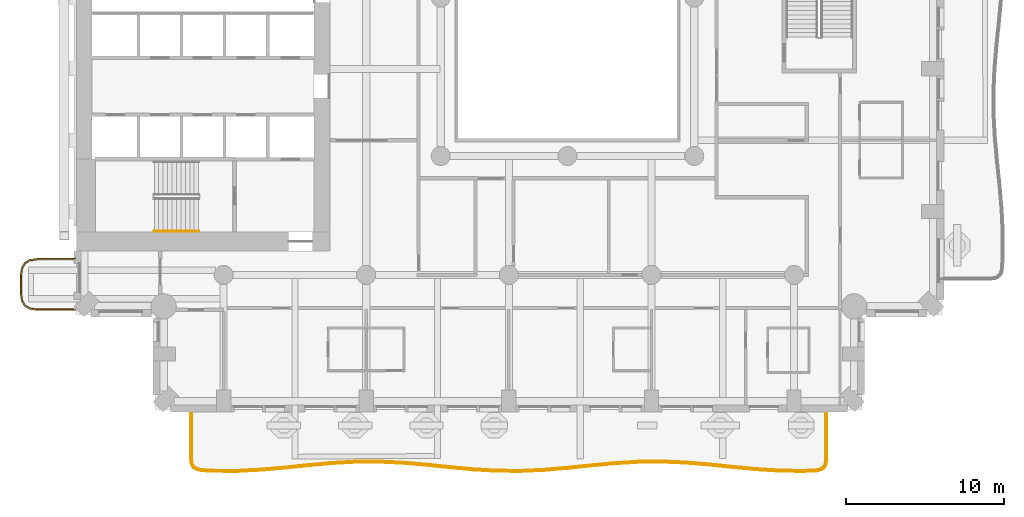
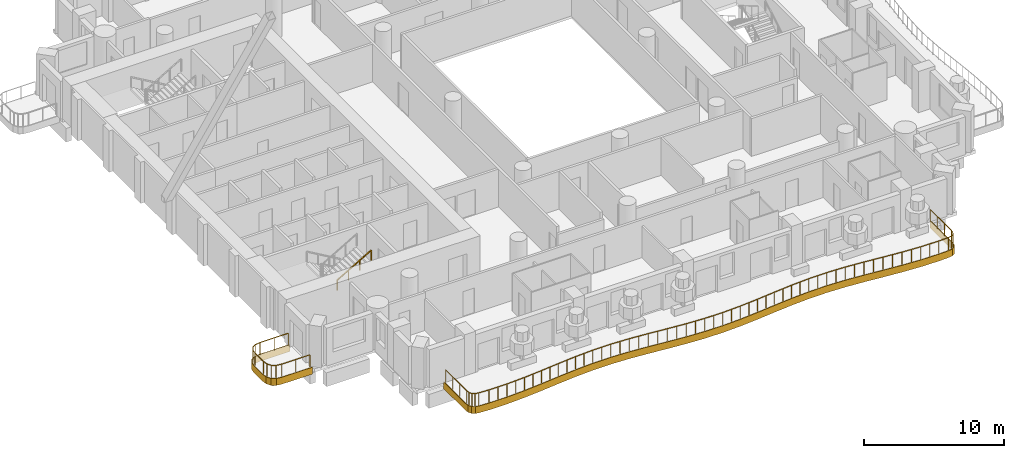
# One storey, part 13 of 20: 3 railings, 2 coverings.
"""IFC4 building model written with IfcOpenShell, lengths in metres."""

from ifc_helpers import new_model, si_unit, direction, frame, origin, origin_2d, place, context, subcontext, project, spatial, polyline, rectangle, outline, extrude, material, layer, layer_set, type_object, element, save


model = new_model("IFC4")

# Units and contexts
model_context = context("Model", 3, precision=1e-05, world=origin(), true_north=direction((0.0, 1.0)))
body_context = subcontext(model_context, "Body", "Model", "MODEL_VIEW")
ifc_project = project(units=[si_unit("LENGTHUNIT", "METRE"), si_unit("AREAUNIT", "SQUARE_METRE"), si_unit("VOLUMEUNIT", "CUBIC_METRE"), si_unit("PLANEANGLEUNIT", "RADIAN"), si_unit("MASSUNIT", "GRAM", prefix="KILO")], contexts=[model_context])

# Site, building, storey
site_placement = place(None, origin())
site = spatial("IfcSite", under=ifc_project, at=site_placement, CompositionType="ELEMENT")
building_placement = place(site_placement, origin())
building = spatial("IfcBuilding", under=site, at=building_placement, Name="Cypress Arch Tower", CompositionType="ELEMENT")
storey_placement = place(building_placement, frame((0.0, 0.0, 73.5)))
storey = spatial("IfcBuildingStorey", under=building, at=storey_placement, Name="L12", CompositionType="ELEMENT", Elevation=73.5)

# Coverings
ifc_material_1 = material(Name="White powder-coated aluminium fascia", Category="aluminium")
ifc_layer = layer(ifc_material_1, 0.050048828125)
ifc_layer_set = layer_set([ifc_layer], Name="Balcony fascia BF50")
covering_type = type_object("IfcCoveringType", Name="Balcony fascia BF50", PredefinedType="CLADDING", material=ifc_layer_set)
covering_1_placement = place(storey_placement, frame((0.0, 0.0, -0.60009765625)))
element("IfcCovering", 1, at=covering_1_placement, inside=storey, type_object=covering_type, Name="Balcony fascia L12-A00W1", PredefinedType="CLADDING", context=body_context, shape_type="SweptSolid", body=[
    extrude(outline(polyline([(-32.503662109375, -19.75), (-32.95458984375, -19.685546875), (-33.286376953125, -19.486328125), (-33.485595703125, -19.154541015625), (-33.550048828125, -18.70361328125), (-33.550048828125, -17.496337890625), (-33.485595703125, -17.04541015625), (-33.286376953125, -16.713623046875), (-32.95458984375, -16.514404296875), (-32.503662109375, -16.449951171875), (-30.0009765625, -16.449951171875), (-30.0009765625, -16.5), (-32.5, -16.5), (-32.9375, -16.5625), (-33.25, -16.75), (-33.4375, -17.0625), (-33.5, -17.5), (-33.5, -18.699951171875), (-33.4375, -19.137451171875), (-33.25, -19.449951171875), (-32.9375, -19.637451171875), (-32.5, -19.699951171875), (-30.0009765625, -19.699951171875), (-30.0009765625, -19.75), (-32.503662109375, -19.75)])), origin(), (0.0, 0.0, 1.0), 0.60009765625),
])
covering_2_placement = place(storey_placement, frame((0.0, 0.0, -0.60009765625)))
element("IfcCovering", 2, at=covering_2_placement, inside=storey, type_object=covering_type, Name="Balcony fascia L12-A03", PredefinedType="CLADDING", context=body_context, shape_type="SweptSolid", body=[
    extrude(outline(polyline([(17.39990234375, -29.17431640625), (17.3564453125, -29.481689453125), (17.219970703125, -29.714599609375), (16.99267578125, -29.85986328125), (16.687255859375, -29.91552734375), (15.865478515625, -29.947509765625), (14.377685546875, -29.92724609375), (12.890625, -29.833984375), (11.404296875, -29.6923828125), (9.91943359375, -29.539794921875), (8.435791015625, -29.416015625), (6.952880859375, -29.353759765625), (5.47021484375, -29.369140625), (3.987060546875, -29.458251953125), (2.503173828125, -29.597900390625), (1.017578125, -29.751220703125), (-0.468994140625, -29.8779296875), (-1.95654296875, -29.944580078125), (-3.444091796875, -29.933837890625), (-4.931396484375, -29.848388671875), (-6.417724609375, -29.710693359375), (-7.90283203125, -29.557373046875), (-9.38671875, -29.42822265625), (-10.86962890625, -29.357177734375), (-12.352294921875, -29.36328125), (-13.835205078125, -29.4443359375), (-15.3193359375, -29.57958984375), (-16.804443359375, -29.7333984375), (-18.291015625, -29.865234375), (-19.7783203125, -29.940673828125), (-21.26611328125, -29.939453125), (-22.087890625, -29.896728515625), (-22.393310546875, -29.837158203125), (-22.6201171875, -29.68896484375), (-22.75634765625, -29.45458984375), (-22.800048828125, -29.146484375), (-22.800048828125, -26.0009765625), (-22.75, -26.0009765625), (-22.75, -29.142822265625), (-22.708251953125, -29.437744140625), (-22.5830078125, -29.653564453125), (-22.3740234375, -29.789794921875), (-22.081787109375, -29.846923828125), (-21.264892578125, -29.889404296875), (-19.779541015625, -29.890625), (-18.29443359375, -29.8154296875), (-16.809326171875, -29.68359375), (-15.323974609375, -29.52978515625), (-13.8388671875, -29.39453125), (-12.353759765625, -29.313232421875), (-10.868408203125, -29.307373046875), (-9.38330078125, -29.378173828125), (-7.898193359375, -29.507568359375), (-6.412841796875, -29.6611328125), (-4.927734375, -29.798583984375), (-3.442626953125, -29.8837890625), (-1.95751953125, -29.89453125), (-0.47216796875, -29.827880859375), (1.012939453125, -29.701416015625), (2.498046875, -29.548095703125), (3.9833984375, -29.408447265625), (5.468505859375, -29.3193359375), (6.95361328125, -29.3037109375), (8.43896484375, -29.3662109375), (9.924072265625, -29.489990234375), (11.4091796875, -29.642822265625), (12.89453125, -29.7841796875), (14.379638671875, -29.87744140625), (15.86474609375, -29.8974609375), (16.681640625, -29.86572265625), (16.97412109375, -29.8125), (17.182861328125, -29.678955078125), (17.308349609375, -29.465087890625), (17.35009765625, -29.170654296875), (17.35009765625, -26.0009765625), (17.39990234375, -26.0009765625), (17.39990234375, -29.17431640625)])), origin(), (0.0, 0.0, 1.0), 0.60009765625),
])

# Railings
ifc_material_2 = material(Name="Powder-coated steel posts and rods, 100 mm clear between rods", Category="steel")
railing_type_1 = type_object("IfcRailingType", Name="Balcony guard GR1100", PredefinedType="GUARDRAIL", material=ifc_material_2)
railing_1_placement = place(storey_placement, frame((-30.14990234375, -19.64990234375, 0.0)))
element("IfcRailing", 3, at=railing_1_placement, inside=storey, type_object=railing_type_1, Name="Balcony guard L12-A00W1", PredefinedType="GUARDRAIL", context=body_context, shape_type="SweptSolid", body=[
    extrude(rectangle(XDim=0.050048828125, YDim=0.050048828125, at=origin_2d()), frame((0.0, 0.0, 1.0751953125), z_axis=(-1.0, 0.0, 0.0), x_axis=(0.0, -1.0, 0.0)), (0.0, 0.0, 1.0), 2.346435546875),
    extrude(rectangle(XDim=0.050048828125, YDim=0.050048828125, at=origin_2d()), frame((-2.346435546875, 0.0, 1.0751953125), z_axis=(-0.989960888959, 0.141341566184, 0.0), x_axis=(-0.141341566184, -0.989960888959, 0.0)), (0.0, 0.0, 1.0), 0.428466796875),
    extrude(rectangle(XDim=0.050048828125, YDim=0.050048828125, at=origin_2d()), frame((-2.7705078125, 0.060546875, 1.0751953125), z_axis=(-0.857681904839, 0.514180659021, 0.0), x_axis=(-0.514180659021, -0.857681904839, 0.0)), (0.0, 0.0, 1.0), 0.341796875),
    extrude(rectangle(XDim=0.050048828125, YDim=0.050048828125, at=origin_2d()), frame((-3.063720703125, 0.236328125, 1.0751953125), z_axis=(-0.514180659021, 0.857681904839, 0.0), x_axis=(-0.857681904839, -0.514180659021, 0.0)), (0.0, 0.0, 1.0), 0.341796875),
    extrude(rectangle(XDim=0.050048828125, YDim=0.050048828125, at=origin_2d()), frame((-3.239501953125, 0.529541015625, 1.0751953125), z_axis=(-0.141421356237, 0.989949493661, 0.0), x_axis=(-0.989949493661, -0.141421356237, 0.0)), (0.0, 0.0, 1.0), 0.42822265625),
    extrude(rectangle(XDim=0.050048828125, YDim=0.050048828125, at=origin_2d()), frame((-3.300048828125, 0.953369140625, 1.0751953125), z_axis=(0.0, 1.0, 0.0), x_axis=(-1.0, 0.0, 0.0)), (0.0, 0.0, 1.0), 1.19287109375),
    extrude(rectangle(XDim=0.050048828125, YDim=0.050048828125, at=origin_2d()), frame((-3.300048828125, 2.146240234375, 1.0751953125), z_axis=(0.141341566184, 0.989960888959, 0.0), x_axis=(-0.989960888959, 0.141341566184, 0.0)), (0.0, 0.0, 1.0), 0.428466796875),
    extrude(rectangle(XDim=0.050048828125, YDim=0.050048828125, at=origin_2d()), frame((-3.239501953125, 2.5703125, 1.0751953125), z_axis=(0.514180659021, 0.857681904839, 0.0), x_axis=(-0.857681904839, 0.514180659021, 0.0)), (0.0, 0.0, 1.0), 0.341796875),
    extrude(rectangle(XDim=0.050048828125, YDim=0.050048828125, at=origin_2d()), frame((-3.063720703125, 2.863525390625, 1.0751953125), z_axis=(0.857681904839, 0.514180659021, 0.0), x_axis=(-0.514180659021, 0.857681904839, 0.0)), (0.0, 0.0, 1.0), 0.341796875),
    extrude(rectangle(XDim=0.050048828125, YDim=0.050048828125, at=origin_2d()), frame((-2.7705078125, 3.039306640625, 1.0751953125), z_axis=(0.989960888959, 0.141341566184, 0.0), x_axis=(-0.141341566184, 0.989960888959, 0.0)), (0.0, 0.0, 1.0), 0.428466796875),
    extrude(rectangle(XDim=0.050048828125, YDim=0.050048828125, at=origin_2d()), frame((-2.346435546875, 3.099853515625, 1.0751953125), z_axis=(1.0, 0.0, 0.0), x_axis=(0.0, 1.0, 0.0)), (0.0, 0.0, 1.0), 2.346435546875),
    extrude(rectangle(XDim=0.0400390625, YDim=0.0400390625, at=origin_2d()), origin(), (0.0, 0.0, 1.0), 1.050048828125),
    extrude(rectangle(XDim=0.0400390625, YDim=0.0400390625, at=origin_2d()), frame((-1.17333984375, 0.0, 0.0)), (0.0, 0.0, 1.0), 1.050048828125),
    extrude(rectangle(XDim=0.0400390625, YDim=0.0400390625, at=origin_2d()), frame((-2.346435546875, 0.0, 0.0)), (0.0, 0.0, 1.0), 1.050048828125),
    extrude(rectangle(XDim=0.0400390625, YDim=0.0400390625, at=origin_2d()), frame((-2.7705078125, 0.060546875, 0.0)), (0.0, 0.0, 1.0), 1.050048828125),
    extrude(rectangle(XDim=0.0400390625, YDim=0.0400390625, at=origin_2d()), frame((-3.063720703125, 0.236328125, 0.0)), (0.0, 0.0, 1.0), 1.050048828125),
    extrude(rectangle(XDim=0.0400390625, YDim=0.0400390625, at=origin_2d()), frame((-3.239501953125, 0.529541015625, 0.0)), (0.0, 0.0, 1.0), 1.050048828125),
    extrude(rectangle(XDim=0.0400390625, YDim=0.0400390625, at=origin_2d()), frame((-3.300048828125, 0.953369140625, 0.0)), (0.0, 0.0, 1.0), 1.050048828125),
    extrude(rectangle(XDim=0.0400390625, YDim=0.0400390625, at=origin_2d()), frame((-3.300048828125, 2.146240234375, 0.0)), (0.0, 0.0, 1.0), 1.050048828125),
    extrude(rectangle(XDim=0.0400390625, YDim=0.0400390625, at=origin_2d()), frame((-3.239501953125, 2.5703125, 0.0)), (0.0, 0.0, 1.0), 1.050048828125),
    extrude(rectangle(XDim=0.0400390625, YDim=0.0400390625, at=origin_2d()), frame((-3.063720703125, 2.863525390625, 0.0)), (0.0, 0.0, 1.0), 1.050048828125),
    extrude(rectangle(XDim=0.0400390625, YDim=0.0400390625, at=origin_2d()), frame((-2.7705078125, 3.039306640625, 0.0)), (0.0, 0.0, 1.0), 1.050048828125),
    extrude(rectangle(XDim=0.0400390625, YDim=0.0400390625, at=origin_2d()), frame((-2.346435546875, 3.099853515625, 0.0)), (0.0, 0.0, 1.0), 1.050048828125),
    extrude(rectangle(XDim=0.0400390625, YDim=0.0400390625, at=origin_2d()), frame((-1.17333984375, 3.099853515625, 0.0)), (0.0, 0.0, 1.0), 1.050048828125),
    extrude(rectangle(XDim=0.0400390625, YDim=0.0400390625, at=origin_2d()), frame((0.0, 3.099853515625, 0.0)), (0.0, 0.0, 1.0), 1.050048828125),
])
railing_2_placement = place(storey_placement, frame((17.300048828125, -26.14990234375, 0.0)))
element("IfcRailing", 4, at=railing_2_placement, inside=storey, type_object=railing_type_1, Name="Balcony guard L12-A03", PredefinedType="GUARDRAIL", context=body_context, shape_type="SweptSolid", body=[
    extrude(rectangle(XDim=0.050048828125, YDim=0.050048828125, at=origin_2d()), frame((0.0, 0.0, 1.0751953125), z_axis=(0.0, -1.0, 0.0), x_axis=(1.0, 0.0, 0.0)), (0.0, 0.0, 1.0), 3.017333984375),
    extrude(rectangle(XDim=0.050048828125, YDim=0.050048828125, at=origin_2d()), frame((0.0, -3.017333984375, 1.0751953125), z_axis=(-0.141060095357, -0.990001035099, 0.0), x_axis=(0.990001035099, -0.141060095357, 0.0)), (0.0, 0.0, 1.0), 0.283935546875),
    extrude(rectangle(XDim=0.050048828125, YDim=0.050048828125, at=origin_2d()), frame((-0.0400390625, -3.29833984375, 1.0751953125), z_axis=(-0.505414598501, -0.86287663291, 0.0), x_axis=(0.86287663291, -0.505414598501, 0.0)), (0.0, 0.0, 1.0), 0.22607421875),
    extrude(rectangle(XDim=0.050048828125, YDim=0.050048828125, at=origin_2d()), frame((-0.154296875, -3.493408203125, 1.0751953125), z_axis=(-0.842369453542, -0.538900458099, 0.0), x_axis=(0.538900458099, -0.842369453542, 0.0)), (0.0, 0.0, 1.0), 0.22607421875),
    extrude(rectangle(XDim=0.050048828125, YDim=0.050048828125, at=origin_2d()), frame((-0.3447265625, -3.615234375, 1.0751953125), z_axis=(-0.983842354294, -0.179036928865, 0.0), x_axis=(0.179036928865, -0.983842354294, 0.0)), (0.0, 0.0, 1.0), 0.28369140625),
    extrude(rectangle(XDim=0.050048828125, YDim=0.050048828125, at=origin_2d()), frame((-0.623779296875, -3.666015625, 1.0751953125), z_axis=(-0.999237016829, -0.039056167224, 0.0), x_axis=(0.039056167224, -0.999237016829, 0.0)), (0.0, 0.0, 1.0), 0.812744140625),
    extrude(rectangle(XDim=0.050048828125, YDim=0.050048828125, at=origin_2d()), frame((-1.435791015625, -3.69775390625, 1.0751953125), z_axis=(-0.999906618942, 0.013665774637, 0.0), x_axis=(-0.013665774637, -0.999906618942, 0.0)), (0.0, 0.0, 1.0), 1.48291015625),
    extrude(rectangle(XDim=0.050048828125, YDim=0.050048828125, at=origin_2d()), frame((-2.91845703125, -3.677490234375, 1.0751953125), z_axis=(-0.998039131201, 0.062593071438, 0.0), x_axis=(-0.062593071438, -0.998039131201, 0.0)), (0.0, 0.0, 1.0), 1.486083984375),
    extrude(rectangle(XDim=0.050048828125, YDim=0.050048828125, at=origin_2d()), frame((-4.401611328125, -3.58447265625, 1.0751953125), z_axis=(-0.995494736566, 0.094816820607, 0.0), x_axis=(-0.094816820607, -0.995494736566, 0.0)), (0.0, 0.0, 1.0), 1.490966796875),
    extrude(rectangle(XDim=0.050048828125, YDim=0.050048828125, at=origin_2d()), frame((-5.8857421875, -3.443115234375, 1.0751953125), z_axis=(-0.994749908611, 0.102335816399, 0.0), x_axis=(-0.102335816399, -0.994749908611, 0.0)), (0.0, 0.0, 1.0), 1.493408203125),
    extrude(rectangle(XDim=0.050048828125, YDim=0.050048828125, at=origin_2d()), frame((-7.371337890625, -3.290283203125, 1.0751953125), z_axis=(-0.996537852811, 0.083140290561, 0.0), x_axis=(-0.083140290561, -0.996537852811, 0.0)), (0.0, 0.0, 1.0), 1.49169921875),
    extrude(rectangle(XDim=0.050048828125, YDim=0.050048828125, at=origin_2d()), frame((-8.85791015625, -3.166259765625, 1.0751953125), z_axis=(-0.999118518809, 0.041978391731, 0.0), x_axis=(-0.041978391731, -0.999118518809, 0.0)), (0.0, 0.0, 1.0), 1.48876953125),
    extrude(rectangle(XDim=0.050048828125, YDim=0.050048828125, at=origin_2d()), frame((-10.345458984375, -3.103759765625, 1.0751953125), z_axis=(-0.99994485716, -0.010501554128, 0.0), x_axis=(0.010501554128, -0.99994485716, 0.0)), (0.0, 0.0, 1.0), 1.48779296875),
    extrude(rectangle(XDim=0.050048828125, YDim=0.050048828125, at=origin_2d()), frame((-11.833251953125, -3.119384765625, 1.0751953125), z_axis=(-0.998200140314, -0.059970658463, 0.0), x_axis=(0.059970658463, -0.998200140314, 0.0)), (0.0, 0.0, 1.0), 1.489990234375),
    extrude(rectangle(XDim=0.050048828125, YDim=0.050048828125, at=origin_2d()), frame((-13.320556640625, -3.208740234375, 1.0751953125), z_axis=(-0.995615207879, -0.093543347389, 0.0), x_axis=(0.093543347389, -0.995615207879, 0.0)), (0.0, 0.0, 1.0), 1.492919921875),
    extrude(rectangle(XDim=0.050048828125, YDim=0.050048828125, at=origin_2d()), frame((-14.806884765625, -3.348388671875, 1.0751953125), z_axis=(-0.99471140174, -0.102709431156, 0.0), x_axis=(0.102709431156, -0.99471140174, 0.0)), (0.0, 0.0, 1.0), 1.49267578125),
    extrude(rectangle(XDim=0.050048828125, YDim=0.050048828125, at=origin_2d()), frame((-16.291748046875, -3.501708984375, 1.0751953125), z_axis=(-0.996387980043, -0.084917567236, 0.0), x_axis=(0.084917567236, -0.996387980043, 0.0)), (0.0, 0.0, 1.0), 1.4892578125),
    extrude(rectangle(XDim=0.050048828125, YDim=0.050048828125, at=origin_2d()), frame((-17.775634765625, -3.628173828125, 1.0751953125), z_axis=(-0.998991139461, -0.04490771959, 0.0), x_axis=(0.04490771959, -0.998991139461, 0.0)), (0.0, 0.0, 1.0), 1.484130859375),
    extrude(rectangle(XDim=0.050048828125, YDim=0.050048828125, at=origin_2d()), frame((-19.25830078125, -3.69482421875, 1.0751953125), z_axis=(-0.999973754691, 0.007244993447, 0.0), x_axis=(-0.007244993447, -0.999973754691, 0.0)), (0.0, 0.0, 1.0), 1.482666015625),
    extrude(rectangle(XDim=0.050048828125, YDim=0.050048828125, at=origin_2d()), frame((-20.740966796875, -3.68408203125, 1.0751953125), z_axis=(-0.998353904879, 0.057353993877, 0.0), x_axis=(-0.057353993877, -0.998353904879, 0.0)), (0.0, 0.0, 1.0), 1.485595703125),
    extrude(rectangle(XDim=0.050048828125, YDim=0.050048828125, at=origin_2d()), frame((-22.22412109375, -3.598876953125, 1.0751953125), z_axis=(-0.995738724499, 0.092219263348, 0.0), x_axis=(-0.092219263348, -0.995738724499, 0.0)), (0.0, 0.0, 1.0), 1.490478515625),
    extrude(rectangle(XDim=0.050048828125, YDim=0.050048828125, at=origin_2d()), frame((-23.708251953125, -3.46142578125, 1.0751953125), z_axis=(-0.99469640988, 0.10285451945, 0.0), x_axis=(-0.10285451945, -0.99469640988, 0.0)), (0.0, 0.0, 1.0), 1.492919921875),
    extrude(rectangle(XDim=0.050048828125, YDim=0.050048828125, at=origin_2d()), frame((-25.193359375, -3.307861328125, 1.0751953125), z_axis=(-0.996233217451, 0.086714338192, 0.0), x_axis=(-0.086714338192, -0.996233217451, 0.0)), (0.0, 0.0, 1.0), 1.4921875),
    extrude(rectangle(XDim=0.050048828125, YDim=0.050048828125, at=origin_2d()), frame((-26.679931640625, -3.178466796875, 1.0751953125), z_axis=(-0.998861451763, 0.047705347524, 0.0), x_axis=(-0.047705347524, -0.998861451763, 0.0)), (0.0, 0.0, 1.0), 1.4892578125),
    extrude(rectangle(XDim=0.050048828125, YDim=0.050048828125, at=origin_2d()), frame((-28.16748046875, -3.107421875, 1.0751953125), z_axis=(-0.999992244987, -0.003938269426, 0.0), x_axis=(0.003938269426, -0.999992244987, 0.0)), (0.0, 0.0, 1.0), 1.48779296875),
    extrude(rectangle(XDim=0.050048828125, YDim=0.050048828125, at=origin_2d()), frame((-29.6552734375, -3.11328125, 1.0751953125), z_axis=(-0.998500434591, -0.054743786138, 0.0), x_axis=(0.054743786138, -0.998500434591, 0.0)), (0.0, 0.0, 1.0), 1.489501953125),
    extrude(rectangle(XDim=0.050048828125, YDim=0.050048828125, at=origin_2d()), frame((-31.142578125, -3.19482421875, 1.0751953125), z_axis=(-0.995870381077, -0.090786475279, 0.0), x_axis=(0.090786475279, -0.995870381077, 0.0)), (0.0, 0.0, 1.0), 1.492431640625),
    extrude(rectangle(XDim=0.050048828125, YDim=0.050048828125, at=origin_2d()), frame((-32.62890625, -3.330322265625, 1.0751953125), z_axis=(-0.99469640988, -0.10285451945, 0.0), x_axis=(0.10285451945, -0.99469640988, 0.0)), (0.0, 0.0, 1.0), 1.492919921875),
    extrude(rectangle(XDim=0.050048828125, YDim=0.050048828125, at=origin_2d()), frame((-34.114013671875, -3.48388671875, 1.0751953125), z_axis=(-0.996076493913, -0.088496430851, 0.0), x_axis=(0.088496430851, -0.996076493913, 0.0)), (0.0, 0.0, 1.0), 1.48974609375),
    extrude(rectangle(XDim=0.050048828125, YDim=0.050048828125, at=origin_2d()), frame((-35.597900390625, -3.61572265625, 1.0751953125), z_axis=(-0.99872512954, -0.050478863149, 0.0), x_axis=(0.050478863149, -0.99872512954, 0.0)), (0.0, 0.0, 1.0), 1.48486328125),
    extrude(rectangle(XDim=0.050048828125, YDim=0.050048828125, at=origin_2d()), frame((-37.080810546875, -3.690673828125, 1.0751953125), z_axis=(-0.999999661075, 0.000823316039, 0.0), x_axis=(-0.000823316039, -0.999999661075, 0.0)), (0.0, 0.0, 1.0), 1.482666015625),
    extrude(rectangle(XDim=0.050048828125, YDim=0.050048828125, at=origin_2d()), frame((-38.5634765625, -3.689453125, 1.0751953125), z_axis=(-0.998649988172, 0.051944211652, 0.0), x_axis=(-0.051944211652, -0.998649988172, 0.0)), (0.0, 0.0, 1.0), 0.81298828125),
    extrude(rectangle(XDim=0.050048828125, YDim=0.050048828125, at=origin_2d()), frame((-39.37548828125, -3.647216796875, 1.0751953125), z_axis=(-0.981557344174, 0.1911679369, 0.0), x_axis=(-0.1911679369, -0.981557344174, 0.0)), (0.0, 0.0, 1.0), 0.284912109375),
    extrude(rectangle(XDim=0.050048828125, YDim=0.050048828125, at=origin_2d()), frame((-39.655029296875, -3.5927734375, 1.0751953125), z_axis=(-0.837290536934, 0.546758225142, 0.0), x_axis=(-0.546758225142, -0.837290536934, 0.0)), (0.0, 0.0, 1.0), 0.227783203125),
    extrude(rectangle(XDim=0.050048828125, YDim=0.050048828125, at=origin_2d()), frame((-39.845703125, -3.46826171875, 1.0751953125), z_axis=(-0.502471480426, 0.864593784016, 0.0), x_axis=(-0.864593784016, -0.502471480426, 0.0)), (0.0, 0.0, 1.0), 0.227783203125),
    extrude(rectangle(XDim=0.050048828125, YDim=0.050048828125, at=origin_2d()), frame((-39.960205078125, -3.271240234375, 1.0751953125), z_axis=(-0.139859558217, 0.990171350815, 0.0), x_axis=(-0.990171350815, -0.139859558217, 0.0)), (0.0, 0.0, 1.0), 0.284423828125),
    extrude(rectangle(XDim=0.050048828125, YDim=0.050048828125, at=origin_2d()), frame((-40.0, -2.989501953125, 1.0751953125), z_axis=(0.0, 1.0, 0.0), x_axis=(-1.0, 0.0, 0.0)), (0.0, 0.0, 1.0), 2.989501953125),
    extrude(rectangle(XDim=0.0400390625, YDim=0.0400390625, at=origin_2d()), origin(), (0.0, 0.0, 1.0), 1.050048828125),
    extrude(rectangle(XDim=0.0400390625, YDim=0.0400390625, at=origin_2d()), frame((0.0, -1.005859375, 0.0)), (0.0, 0.0, 1.0), 1.050048828125),
    extrude(rectangle(XDim=0.0400390625, YDim=0.0400390625, at=origin_2d()), frame((0.0, -2.011474609375, 0.0)), (0.0, 0.0, 1.0), 1.050048828125),
    extrude(rectangle(XDim=0.0400390625, YDim=0.0400390625, at=origin_2d()), frame((0.0, -3.017333984375, 0.0)), (0.0, 0.0, 1.0), 1.050048828125),
    extrude(rectangle(XDim=0.0400390625, YDim=0.0400390625, at=origin_2d()), frame((-0.0400390625, -3.29833984375, 0.0)), (0.0, 0.0, 1.0), 1.050048828125),
    extrude(rectangle(XDim=0.0400390625, YDim=0.0400390625, at=origin_2d()), frame((-0.154296875, -3.493408203125, 0.0)), (0.0, 0.0, 1.0), 1.050048828125),
    extrude(rectangle(XDim=0.0400390625, YDim=0.0400390625, at=origin_2d()), frame((-0.3447265625, -3.615234375, 0.0)), (0.0, 0.0, 1.0), 1.050048828125),
    extrude(rectangle(XDim=0.0400390625, YDim=0.0400390625, at=origin_2d()), frame((-0.623779296875, -3.666015625, 0.0)), (0.0, 0.0, 1.0), 1.050048828125),
    extrude(rectangle(XDim=0.0400390625, YDim=0.0400390625, at=origin_2d()), frame((-1.435791015625, -3.69775390625, 0.0)), (0.0, 0.0, 1.0), 1.050048828125),
    extrude(rectangle(XDim=0.0400390625, YDim=0.0400390625, at=origin_2d()), frame((-2.17724609375, -3.6875, 0.0)), (0.0, 0.0, 1.0), 1.050048828125),
    extrude(rectangle(XDim=0.0400390625, YDim=0.0400390625, at=origin_2d()), frame((-2.91845703125, -3.677490234375, 0.0)), (0.0, 0.0, 1.0), 1.050048828125),
    extrude(rectangle(XDim=0.0400390625, YDim=0.0400390625, at=origin_2d()), frame((-3.66015625, -3.630859375, 0.0)), (0.0, 0.0, 1.0), 1.050048828125),
    extrude(rectangle(XDim=0.0400390625, YDim=0.0400390625, at=origin_2d()), frame((-4.401611328125, -3.58447265625, 0.0)), (0.0, 0.0, 1.0), 1.050048828125),
    extrude(rectangle(XDim=0.0400390625, YDim=0.0400390625, at=origin_2d()), frame((-5.1435546875, -3.513671875, 0.0)), (0.0, 0.0, 1.0), 1.050048828125),
    extrude(rectangle(XDim=0.0400390625, YDim=0.0400390625, at=origin_2d()), frame((-5.8857421875, -3.443115234375, 0.0)), (0.0, 0.0, 1.0), 1.050048828125),
    extrude(rectangle(XDim=0.0400390625, YDim=0.0400390625, at=origin_2d()), frame((-6.62841796875, -3.36669921875, 0.0)), (0.0, 0.0, 1.0), 1.050048828125),
    extrude(rectangle(XDim=0.0400390625, YDim=0.0400390625, at=origin_2d()), frame((-7.371337890625, -3.290283203125, 0.0)), (0.0, 0.0, 1.0), 1.050048828125),
    extrude(rectangle(XDim=0.0400390625, YDim=0.0400390625, at=origin_2d()), frame((-8.11474609375, -3.228271484375, 0.0)), (0.0, 0.0, 1.0), 1.050048828125),
    extrude(rectangle(XDim=0.0400390625, YDim=0.0400390625, at=origin_2d()), frame((-8.85791015625, -3.166259765625, 0.0)), (0.0, 0.0, 1.0), 1.050048828125),
    extrude(rectangle(XDim=0.0400390625, YDim=0.0400390625, at=origin_2d()), frame((-9.6015625, -3.135009765625, 0.0)), (0.0, 0.0, 1.0), 1.050048828125),
    extrude(rectangle(XDim=0.0400390625, YDim=0.0400390625, at=origin_2d()), frame((-10.345458984375, -3.103759765625, 0.0)), (0.0, 0.0, 1.0), 1.050048828125),
    extrude(rectangle(XDim=0.0400390625, YDim=0.0400390625, at=origin_2d()), frame((-11.08935546875, -3.111572265625, 0.0)), (0.0, 0.0, 1.0), 1.050048828125),
    extrude(rectangle(XDim=0.0400390625, YDim=0.0400390625, at=origin_2d()), frame((-11.833251953125, -3.119384765625, 0.0)), (0.0, 0.0, 1.0), 1.050048828125),
    extrude(rectangle(XDim=0.0400390625, YDim=0.0400390625, at=origin_2d()), frame((-12.576904296875, -3.1640625, 0.0)), (0.0, 0.0, 1.0), 1.050048828125),
    extrude(rectangle(XDim=0.0400390625, YDim=0.0400390625, at=origin_2d()), frame((-13.320556640625, -3.208740234375, 0.0)), (0.0, 0.0, 1.0), 1.050048828125),
    extrude(rectangle(XDim=0.0400390625, YDim=0.0400390625, at=origin_2d()), frame((-14.063720703125, -3.278564453125, 0.0)), (0.0, 0.0, 1.0), 1.050048828125),
    extrude(rectangle(XDim=0.0400390625, YDim=0.0400390625, at=origin_2d()), frame((-14.806884765625, -3.348388671875, 0.0)), (0.0, 0.0, 1.0), 1.050048828125),
    extrude(rectangle(XDim=0.0400390625, YDim=0.0400390625, at=origin_2d()), frame((-15.54931640625, -3.425048828125, 0.0)), (0.0, 0.0, 1.0), 1.050048828125),
    extrude(rectangle(XDim=0.0400390625, YDim=0.0400390625, at=origin_2d()), frame((-16.291748046875, -3.501708984375, 0.0)), (0.0, 0.0, 1.0), 1.050048828125),
    extrude(rectangle(XDim=0.0400390625, YDim=0.0400390625, at=origin_2d()), frame((-17.03369140625, -3.56494140625, 0.0)), (0.0, 0.0, 1.0), 1.050048828125),
    extrude(rectangle(XDim=0.0400390625, YDim=0.0400390625, at=origin_2d()), frame((-17.775634765625, -3.628173828125, 0.0)), (0.0, 0.0, 1.0), 1.050048828125),
    extrude(rectangle(XDim=0.0400390625, YDim=0.0400390625, at=origin_2d()), frame((-18.51708984375, -3.66162109375, 0.0)), (0.0, 0.0, 1.0), 1.050048828125),
    extrude(rectangle(XDim=0.0400390625, YDim=0.0400390625, at=origin_2d()), frame((-19.25830078125, -3.69482421875, 0.0)), (0.0, 0.0, 1.0), 1.050048828125),
    extrude(rectangle(XDim=0.0400390625, YDim=0.0400390625, at=origin_2d()), frame((-19.99951171875, -3.689453125, 0.0)), (0.0, 0.0, 1.0), 1.050048828125),
    extrude(rectangle(XDim=0.0400390625, YDim=0.0400390625, at=origin_2d()), frame((-20.740966796875, -3.68408203125, 0.0)), (0.0, 0.0, 1.0), 1.050048828125),
    extrude(rectangle(XDim=0.0400390625, YDim=0.0400390625, at=origin_2d()), frame((-21.482421875, -3.6416015625, 0.0)), (0.0, 0.0, 1.0), 1.050048828125),
    extrude(rectangle(XDim=0.0400390625, YDim=0.0400390625, at=origin_2d()), frame((-22.22412109375, -3.598876953125, 0.0)), (0.0, 0.0, 1.0), 1.050048828125),
    extrude(rectangle(XDim=0.0400390625, YDim=0.0400390625, at=origin_2d()), frame((-22.96630859375, -3.5302734375, 0.0)), (0.0, 0.0, 1.0), 1.050048828125),
    extrude(rectangle(XDim=0.0400390625, YDim=0.0400390625, at=origin_2d()), frame((-23.708251953125, -3.46142578125, 0.0)), (0.0, 0.0, 1.0), 1.050048828125),
    extrude(rectangle(XDim=0.0400390625, YDim=0.0400390625, at=origin_2d()), frame((-24.45068359375, -3.384765625, 0.0)), (0.0, 0.0, 1.0), 1.050048828125),
    extrude(rectangle(XDim=0.0400390625, YDim=0.0400390625, at=origin_2d()), frame((-25.193359375, -3.307861328125, 0.0)), (0.0, 0.0, 1.0), 1.050048828125),
    extrude(rectangle(XDim=0.0400390625, YDim=0.0400390625, at=origin_2d()), frame((-25.9365234375, -3.2431640625, 0.0)), (0.0, 0.0, 1.0), 1.050048828125),
    extrude(rectangle(XDim=0.0400390625, YDim=0.0400390625, at=origin_2d()), frame((-26.679931640625, -3.178466796875, 0.0)), (0.0, 0.0, 1.0), 1.050048828125),
    extrude(rectangle(XDim=0.0400390625, YDim=0.0400390625, at=origin_2d()), frame((-27.423828125, -3.14306640625, 0.0)), (0.0, 0.0, 1.0), 1.050048828125),
    extrude(rectangle(XDim=0.0400390625, YDim=0.0400390625, at=origin_2d()), frame((-28.16748046875, -3.107421875, 0.0)), (0.0, 0.0, 1.0), 1.050048828125),
    extrude(rectangle(XDim=0.0400390625, YDim=0.0400390625, at=origin_2d()), frame((-28.911376953125, -3.1103515625, 0.0)), (0.0, 0.0, 1.0), 1.050048828125),
    extrude(rectangle(XDim=0.0400390625, YDim=0.0400390625, at=origin_2d()), frame((-29.6552734375, -3.11328125, 0.0)), (0.0, 0.0, 1.0), 1.050048828125),
    extrude(rectangle(XDim=0.0400390625, YDim=0.0400390625, at=origin_2d()), frame((-30.39892578125, -3.154052734375, 0.0)), (0.0, 0.0, 1.0), 1.050048828125),
    extrude(rectangle(XDim=0.0400390625, YDim=0.0400390625, at=origin_2d()), frame((-31.142578125, -3.19482421875, 0.0)), (0.0, 0.0, 1.0), 1.050048828125),
    extrude(rectangle(XDim=0.0400390625, YDim=0.0400390625, at=origin_2d()), frame((-31.8857421875, -3.2626953125, 0.0)), (0.0, 0.0, 1.0), 1.050048828125),
    extrude(rectangle(XDim=0.0400390625, YDim=0.0400390625, at=origin_2d()), frame((-32.62890625, -3.330322265625, 0.0)), (0.0, 0.0, 1.0), 1.050048828125),
    extrude(rectangle(XDim=0.0400390625, YDim=0.0400390625, at=origin_2d()), frame((-33.37158203125, -3.4072265625, 0.0)), (0.0, 0.0, 1.0), 1.050048828125),
    extrude(rectangle(XDim=0.0400390625, YDim=0.0400390625, at=origin_2d()), frame((-34.114013671875, -3.48388671875, 0.0)), (0.0, 0.0, 1.0), 1.050048828125),
    extrude(rectangle(XDim=0.0400390625, YDim=0.0400390625, at=origin_2d()), frame((-34.85595703125, -3.5498046875, 0.0)), (0.0, 0.0, 1.0), 1.050048828125),
    extrude(rectangle(XDim=0.0400390625, YDim=0.0400390625, at=origin_2d()), frame((-35.597900390625, -3.61572265625, 0.0)), (0.0, 0.0, 1.0), 1.050048828125),
    extrude(rectangle(XDim=0.0400390625, YDim=0.0400390625, at=origin_2d()), frame((-36.33935546875, -3.6533203125, 0.0)), (0.0, 0.0, 1.0), 1.050048828125),
    extrude(rectangle(XDim=0.0400390625, YDim=0.0400390625, at=origin_2d()), frame((-37.080810546875, -3.690673828125, 0.0)), (0.0, 0.0, 1.0), 1.050048828125),
    extrude(rectangle(XDim=0.0400390625, YDim=0.0400390625, at=origin_2d()), frame((-37.822265625, -3.68994140625, 0.0)), (0.0, 0.0, 1.0), 1.050048828125),
    extrude(rectangle(XDim=0.0400390625, YDim=0.0400390625, at=origin_2d()), frame((-38.5634765625, -3.689453125, 0.0)), (0.0, 0.0, 1.0), 1.050048828125),
    extrude(rectangle(XDim=0.0400390625, YDim=0.0400390625, at=origin_2d()), frame((-39.37548828125, -3.647216796875, 0.0)), (0.0, 0.0, 1.0), 1.050048828125),
    extrude(rectangle(XDim=0.0400390625, YDim=0.0400390625, at=origin_2d()), frame((-39.655029296875, -3.5927734375, 0.0)), (0.0, 0.0, 1.0), 1.050048828125),
    extrude(rectangle(XDim=0.0400390625, YDim=0.0400390625, at=origin_2d()), frame((-39.845703125, -3.46826171875, 0.0)), (0.0, 0.0, 1.0), 1.050048828125),
    extrude(rectangle(XDim=0.0400390625, YDim=0.0400390625, at=origin_2d()), frame((-39.960205078125, -3.271240234375, 0.0)), (0.0, 0.0, 1.0), 1.050048828125),
    extrude(rectangle(XDim=0.0400390625, YDim=0.0400390625, at=origin_2d()), frame((-40.0, -2.989501953125, 0.0)), (0.0, 0.0, 1.0), 1.050048828125),
    extrude(rectangle(XDim=0.0400390625, YDim=0.0400390625, at=origin_2d()), frame((-40.0, -1.992919921875, 0.0)), (0.0, 0.0, 1.0), 1.050048828125),
    extrude(rectangle(XDim=0.0400390625, YDim=0.0400390625, at=origin_2d()), frame((-40.0, -0.99658203125, 0.0)), (0.0, 0.0, 1.0), 1.050048828125),
    extrude(rectangle(XDim=0.0400390625, YDim=0.0400390625, at=origin_2d()), frame((-40.0, 0.0, 0.0)), (0.0, 0.0, 1.0), 1.050048828125),
])
ifc_material_3 = material(Name="Black powder-coated steel square bar 48 mm", Category="steel")
railing_type_2 = type_object("IfcRailingType", Name="Stair handrail HR1", PredefinedType="HANDRAIL", material=ifc_material_3)
railing_3_placement = place(storey_placement, frame((-25.074951171875, -14.75, 1.963623046875)))
element("IfcRailing", 5, at=railing_3_placement, inside=storey, type_object=railing_type_2, Name="L12 A stair handrail 2", PredefinedType="HANDRAIL", context=body_context, shape_type="SweptSolid", body=[
    extrude(rectangle(XDim=0.048095703125, YDim=0.048095703125, at=origin_2d()), frame((0.0, 0.0, 0.8759765625), z_axis=(0.863360870873, 0.0, 0.504586966384), x_axis=(0.0, 1.0, 0.0)), (0.0, 0.0, 1.0), 3.2431640625),
    extrude(rectangle(XDim=0.0419921875, YDim=0.0419921875, at=origin_2d()), origin(), (0.0, 0.0, 1.0), 0.851806640625),
    extrude(rectangle(XDim=0.0419921875, YDim=0.0419921875, at=origin_2d()), frame((0.933349609375, 0.0, 0.54541015625)), (0.0, 0.0, 1.0), 0.851806640625),
    extrude(rectangle(XDim=0.0419921875, YDim=0.0419921875, at=origin_2d()), frame((1.86669921875, 0.0, 1.091064453125)), (0.0, 0.0, 1.0), 0.851806640625),
    extrude(rectangle(XDim=0.0419921875, YDim=0.0419921875, at=origin_2d()), frame((2.800048828125, 0.0, 1.636474609375)), (0.0, 0.0, 1.0), 0.851806640625),
])

save(model, "model.ifc")
